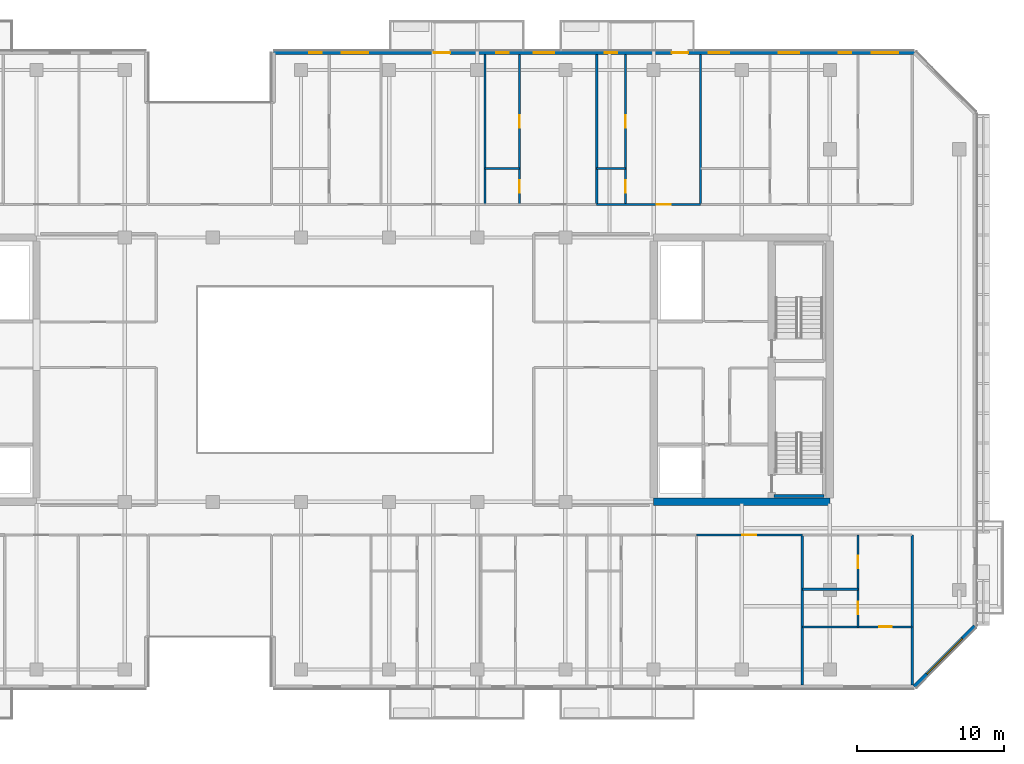
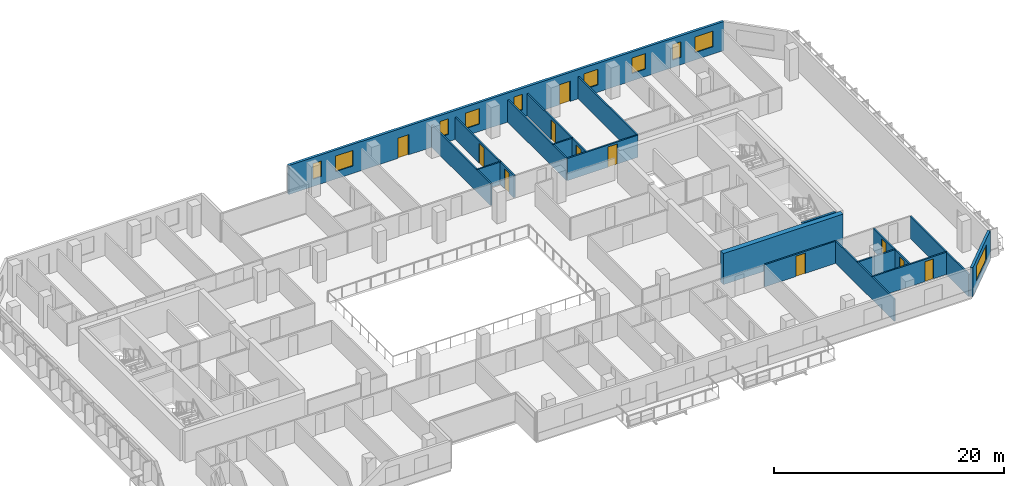
# One storey, part 13 of 19: 18 walls, 11 doors, 10 windows, 21 openings.
"""IFC4 building model written with IfcOpenShell, lengths in metres."""

import ifcopenshell
import ifcopenshell.guid

model = None  # the IFC model being written
_history = None  # IfcOwnerHistory: only IFC2X3 demands one
_inside = {}  # id of a spatial element -> (the spatial element, [elements in it])
_under = {}  # id of a project, library or spatial element -> (it, [spatial elements below it])
_declared = {}  # id of a project -> (the project, [libraries it declares])
_typed = {}  # id of a type object -> (the type object, [elements of that type])
_made_of = {}  # id of a material, layer set ... -> (it, [elements and type objects made of it])


def new_model(schema):
    """Start an empty IFC model of exactly this schema.

    Asked for "IFC4X3", IfcOpenShell would pick the latest addendum, in which some entities
    have other attributes; the version numbers below select the first issue.
    IFC2X3 requires an IfcOwnerHistory on every rooted entity: one is made here for all.
    """
    global model, _history
    if schema == "IFC4X3":
        model = ifcopenshell.file(schema_version=(4, 3, 0, 0))
    else:
        model = ifcopenshell.file(schema=schema)
    _inside.clear()
    _under.clear()
    _declared.clear()
    _typed.clear()
    _made_of.clear()
    _history = None
    if model.schema == "IFC2X3":
        org = make("IfcOrganization", Name="unknown")
        user = make(
            "IfcPersonAndOrganization",
            ThePerson=make("IfcPerson", FamilyName="unknown"),
            TheOrganization=org,
        )
        app = make(
            "IfcApplication",
            ApplicationDeveloper=org,
            Version="unknown",
            ApplicationFullName="unknown",
            ApplicationIdentifier="unknown",
        )
        _history = make(
            "IfcOwnerHistory",
            OwningUser=user,
            OwningApplication=app,
            ChangeAction="ADDED",
            CreationDate=0,
        )
    return model


def make(cls, **values):
    """One entity of the class cls with the attributes given. An attribute that is None is left unset."""
    return model.create_entity(
        cls, **{name: value for name, value in values.items() if value is not None}
    )


def rooted(cls, **values):
    """An entity with a GlobalId (a new one), such as an element, a storey or a relation."""
    return make(cls, GlobalId=ifcopenshell.guid.new(), OwnerHistory=_history, **values)


def si_unit(unit_type, name, prefix=None):
    """IfcSIUnit, for example si_unit("LENGTHUNIT", "METRE", prefix="MILLI")."""
    return make("IfcSIUnit", UnitType=unit_type, Prefix=prefix, Name=name)


def assignment(units):
    """IfcUnitAssignment: the units of a project."""
    return None if units is None else make("IfcUnitAssignment", Units=units)


def point(xyz):
    """IfcCartesianPoint."""
    return None if xyz is None else make("IfcCartesianPoint", Coordinates=xyz)


def direction(xyz):
    """IfcDirection."""
    return None if xyz is None else make("IfcDirection", DirectionRatios=xyz)


def frame(location, z_axis=None, x_axis=None):
    """IfcAxis2Placement3D, a coordinate frame: its origin and axes. An axis left out is left unset."""
    return make(
        "IfcAxis2Placement3D",
        Location=point(location),
        Axis=direction(z_axis),
        RefDirection=direction(x_axis),
    )


def frame_2d(location, x_axis=None):
    """IfcAxis2Placement2D, a coordinate frame in the plane: its origin and x axis."""
    return make(
        "IfcAxis2Placement2D", Location=point(location), RefDirection=direction(x_axis)
    )


def origin():
    """The frame at (0, 0, 0) with its axes left unset."""
    return frame((0.0, 0.0, 0.0))


def place(relative_to, where):
    """IfcLocalPlacement: puts the frame where relative to a parent placement (None: the world)."""
    return make(
        "IfcLocalPlacement", PlacementRelTo=relative_to, RelativePlacement=where
    )


def context(
    kind, dimensions, precision=None, world=None, true_north=None, identifier=None
):
    """IfcGeometricRepresentationContext, for example the 3D "Model" context."""
    return make(
        "IfcGeometricRepresentationContext",
        ContextIdentifier=identifier,
        ContextType=kind,
        CoordinateSpaceDimension=dimensions,
        Precision=precision,
        WorldCoordinateSystem=world,
        TrueNorth=true_north,
    )


def subcontext(parent, identifier, kind, view, scale=None):
    """IfcGeometricRepresentationSubContext, for example "Body" below "Model"."""
    return make(
        "IfcGeometricRepresentationSubContext",
        ContextIdentifier=identifier,
        ContextType=kind,
        ParentContext=parent,
        TargetScale=scale,
        TargetView=view,
    )


def project(units=None, contexts=None):
    """IfcProject with its units and contexts."""
    return rooted(
        "IfcProject",
        Name="project",
        RepresentationContexts=contexts,
        UnitsInContext=assignment(units),
    )


def spatial(cls, under=None, at=None, **own):
    """A site, building, storey or space (cls), placed at a placement, below another one or the project."""
    s = rooted(cls, ObjectPlacement=at, **own)
    if under is not None:
        _under.setdefault(under.id(), (under, []))[1].append(s)
    return s


def profile(cls, at=None, kind="AREA", **sizes):
    """A parametric profile (cls). Its sizes go by their IFC names, for example OverallWidth=200.0."""
    return make(cls, ProfileType=kind, Position=at, **sizes)


def rectangle(**sizes):
    """IfcRectangleProfileDef."""
    return profile("IfcRectangleProfileDef", **sizes)


def extrude(swept, where, along, depth):
    """IfcExtrudedAreaSolid: the profile swept, set in the frame where, extruded along a direction by depth."""
    return make(
        "IfcExtrudedAreaSolid",
        SweptArea=swept,
        Position=where,
        ExtrudedDirection=direction(along),
        Depth=depth,
    )


def shape(context_of_items, identifier, shape_type, items):
    """IfcShapeRepresentation: the items that make up one representation, for example the "Body"."""
    return make(
        "IfcShapeRepresentation",
        ContextOfItems=context_of_items,
        RepresentationIdentifier=identifier,
        RepresentationType=shape_type,
        Items=items,
    )


def material(Name=None, Category=None):
    """IfcMaterial."""
    return make("IfcMaterial", Name=Name, Category=Category)


def layer(
    of_material, thickness, ventilated=None, Name=None, Category=None, Priority=None
):
    """IfcMaterialLayer: one layer of a wall or slab, of a material (None: an air gap)."""
    return make(
        "IfcMaterialLayer",
        Material=of_material,
        LayerThickness=thickness,
        IsVentilated=ventilated,
        Name=Name,
        Category=Category,
        Priority=Priority,
    )


def layer_set(layers, Name=None):
    """IfcMaterialLayerSet."""
    return make("IfcMaterialLayerSet", MaterialLayers=layers, LayerSetName=Name)


def made_of(thing, what):
    """Note that an element or type object is made of a material, layer set ...; save() writes the relation."""
    if what is not None:
        _made_of.setdefault(what.id(), (what, []))[1].append(thing)
    return thing


def type_object(cls, material=None, **own):
    """A type object (cls), such as IfcWallType, which elements share."""
    return made_of(rooted(cls, **own), material)


def element(
    cls,
    number,
    at=None,
    inside=None,
    cuts=None,
    type_object=None,
    material=None,
    context=None,
    identifier="Body",
    shape_type=None,
    held_by="IfcProductDefinitionShape",
    body=None,
    shapes=None,
    **own,
):
    """One element of the class cls, such as IfcWall. Its Tag is "e" and its number.

    at: its placement. inside: the storey or other place that contains it. cuts: it is an
    opening in that element (IfcRelVoidsElement). A single representation is given by context,
    identifier, shape_type and body (its items); several are given by shapes. held_by: the class
    of the entity that holds the representations. save() writes the other relations.
    """
    e = rooted(cls, Tag="e%d" % number, ObjectPlacement=at, **own)
    if body is not None:
        shapes = [shape(context, identifier, shape_type, body)]
    if shapes is not None:
        e.Representation = make(held_by, Representations=shapes)
    if inside is not None:
        _inside.setdefault(inside.id(), (inside, []))[1].append(e)
    if cuts is not None:
        rooted(
            "IfcRelVoidsElement", RelatingBuildingElement=cuts, RelatedOpeningElement=e
        )
    if type_object is not None:
        _typed.setdefault(type_object.id(), (type_object, []))[1].append(e)
    return made_of(e, material)


def fill(opening, filler):
    """IfcRelFillsElement: the door or window that sits in an opening."""
    return rooted(
        "IfcRelFillsElement",
        RelatingOpeningElement=opening,
        RelatedBuildingElement=filler,
    )


def aggregate(whole, parts):
    """IfcRelAggregates: a whole, such as a stair, and the parts it consists of."""
    return rooted("IfcRelAggregates", RelatingObject=whole, RelatedObjects=parts)


def save(model, path):
    """Write the relations noted so far, then the file.

    IfcRelAggregates (storeys below a building ...), IfcRelContainedInSpatialStructure (elements
    in a storey), IfcRelDefinesByType, IfcRelAssociatesMaterial and IfcRelDeclares: one each for
    every whole, place, type object, material and project.
    """
    for whole, parts in _under.values():
        aggregate(whole, parts)
    for where, things in _inside.values():
        rooted(
            "IfcRelContainedInSpatialStructure",
            RelatedElements=things,
            RelatingStructure=where,
        )
    for kind, things in _typed.values():
        rooted("IfcRelDefinesByType", RelatedObjects=things, RelatingType=kind)
    for what, things in _made_of.values():
        rooted("IfcRelAssociatesMaterial", RelatedObjects=things, RelatingMaterial=what)
    for by, libraries in _declared.values():
        rooted("IfcRelDeclares", RelatingContext=by, RelatedDefinitions=libraries)
    model.write(path)


model = new_model("IFC4")

# Units and contexts
model_context = context("Model", 3, precision=1e-05, world=origin(), true_north=direction((0.0, 1.0)))
body_context = subcontext(model_context, "Body", "Model", "MODEL_VIEW")
ifc_project = project(units=[si_unit("LENGTHUNIT", "METRE"), si_unit("AREAUNIT", "SQUARE_METRE"), si_unit("VOLUMEUNIT", "CUBIC_METRE"), si_unit("PLANEANGLEUNIT", "RADIAN"), si_unit("MASSUNIT", "GRAM", prefix="KILO")], contexts=[model_context])

# Site, building, storey
site_placement = place(None, origin())
site = spatial("IfcSite", under=ifc_project, at=site_placement, CompositionType="ELEMENT")
building_placement = place(site_placement, origin())
building = spatial("IfcBuilding", under=site, at=building_placement, Name="Tanjung Sevakor Pilgrim Tower", CompositionType="ELEMENT")
storey_placement = place(building_placement, frame((0.0, 0.0, 135.300048828125)))
storey = spatial("IfcBuildingStorey", under=building, at=storey_placement, Name="L37", CompositionType="ELEMENT", Elevation=135.300048828125)

# Walls
ifc_material_1 = material(Name="Concrete C60/75", Category="concrete")
ifc_layer_1 = layer(ifc_material_1, 0.5)
ifc_layer_set_1 = layer_set([ifc_layer_1], Name="WALL-CW-500")
wall_type_1 = type_object("IfcWallType", Name="WALL-CW-500", PredefinedType="SHEAR", material=ifc_layer_set_1)
wall_1_placement = place(storey_placement, frame((78.0, 24.60009765625, 0.0), z_axis=(0.0, 0.0, 1.0), x_axis=(1.0, 0.0, 0.0)))
element("IfcWall", 1, at=wall_1_placement, inside=storey, type_object=wall_type_1, Name="L37 E Core South Shear Wall", PredefinedType="SHEAR", context=body_context, shape_type="SweptSolid", body=[
    extrude(rectangle(XDim=12.0, YDim=0.5, at=frame_2d((6.0, 0.0))), origin(), (0.0, 0.0, 1.0), 3.300048828125),
])
ifc_material_2 = material(Name="Concrete C40/50", Category="concrete")
ifc_layer_2 = layer(ifc_material_2, 0.14990234375)
ifc_layer_set_2 = layer_set([ifc_layer_2], Name="WT-COMP-150")
wall_type_2 = type_object("IfcWallType", Name="WT-COMP-150", PredefinedType="SOLIDWALL", material=ifc_layer_set_2)
for number, where, z_axis, x_axis, name in (
    (2, (95.60009765625, 12.14990234375, 0.0), (0.0, 0.0, 1.0), (0.0, 1.0, 0.0), "L37 Partition IW-L37-047"),
    (3, (88.12255859375, 12.14990234375, 0.0), (0.0, 0.0, 1.0), (0.0, 1.0, 0.0), "L37 Partition IW-L37-062"),
):
    element("IfcWall", number, at=place(storey_placement, frame(where, z_axis=z_axis, x_axis=x_axis)), inside=storey, type_object=wall_type_2, Name=name, PredefinedType="SOLIDWALL", context=body_context, shape_type="SweptSolid", body=[
        extrude(rectangle(XDim=10.2001953125, YDim=0.14990234375, at=frame_2d((5.10009765625, 0.0))), origin(), (0.0, 0.0, 1.0), 2.35009765625),
    ])

# Wall, opening, door
wall_2_placement = place(storey_placement, frame((80.922119140625, 22.35009765625, 0.0), z_axis=(0.0, 0.0, 1.0), x_axis=(1.0, 0.0, 0.0)))
wall_2 = element("IfcWall", 4, at=wall_2_placement, inside=storey, type_object=wall_type_2, Name="L37 Partition IW-L37-063", PredefinedType="SOLIDWALL", context=body_context, shape_type="SweptSolid", body=[
    extrude(rectangle(XDim=7.200439453125, YDim=0.14990234375, at=frame_2d((3.60009765625, 0.0))), origin(), (0.0, 0.0, 1.0), 2.35009765625),
])
opening_1_placement = place(wall_2_placement, frame((3.125244140625, 0.0, 0.0)))
opening_1 = element("IfcOpeningElement", 5, at=opening_1_placement, cuts=wall_2, Name="Opening ID-FD2", PredefinedType="OPENING", context=body_context, shape_type="SweptSolid", body=[
    extrude(rectangle(XDim=0.949951171875, YDim=2.14990234375, at=frame_2d((0.47509765625, 1.074951171875))), frame((0.0, 0.0849609375, 0.0), z_axis=(0.0, -1.0, 0.0), x_axis=(1.0, 0.0, 0.0)), (0.0, 0.0, 1.0), 0.169921875),
])
ifc_material_3 = material(Name="Fire-Rated Timber", Category="wood")
door_type_1 = type_object("IfcDoorType", Name="DT-FIRE-950", OperationType="NOTDEFINED", PredefinedType="DOOR", material=ifc_material_3)
door_1_placement = place(opening_1_placement, origin())
door_1 = element("IfcDoor", 6, at=door_1_placement, inside=storey, type_object=door_type_1, Name="Study Room Entrance", OperationType="SINGLE_SWING_RIGHT", OverallHeight=2.14990234375, OverallWidth=0.949951171875, PredefinedType="DOOR", context=body_context, shape_type="SweptSolid", body=[
    extrude(rectangle(XDim=0.949951171875, YDim=2.14990234375, at=frame_2d((0.47509765625, 1.074951171875))), frame((0.0, 0.02490234375, 0.0), z_axis=(0.0, -1.0, 0.0), x_axis=(1.0, 0.0, 0.0)), (0.0, 0.0, 1.0), 0.050048828125),
])
fill(opening_1, door_1)

# Walls
for number, where, z_axis, x_axis, name in (
    (7, (66.522705078125, 44.85009765625, 0.0), (0.0, 0.0, 1.0), (0.0, 1.0, 0.0), "L37 Partition IW-L37-083"),
    (8, (74.131591796875, 44.85009765625, 0.0), (0.0, 0.0, 1.0), (0.0, 1.0, 0.0), "L37 Partition IW-L37-085"),
    (9, (81.197265625, 44.85009765625, 0.0), (0.0, 0.0, 1.0), (0.0, 1.0, 0.0), "L37 Partition IW-L37-089"),
):
    element("IfcWall", number, at=place(storey_placement, frame(where, z_axis=z_axis, x_axis=x_axis)), inside=storey, type_object=wall_type_2, Name=name, PredefinedType="SOLIDWALL", context=body_context, shape_type="SweptSolid", body=[
        extrude(rectangle(XDim=10.199951171875, YDim=0.14990234375, at=frame_2d((5.10009765625, 0.0))), origin(), (0.0, 0.0, 1.0), 2.35009765625),
    ])

# Wall, opening, door
wall_3_placement = place(storey_placement, frame((74.131591796875, 44.85009765625, 0.0), z_axis=(0.0, 0.0, 1.0), x_axis=(1.0, 0.0, 0.0)))
wall_3 = element("IfcWall", 10, at=wall_3_placement, inside=storey, type_object=wall_type_2, Name="L37 Partition IW-L37-092", PredefinedType="SOLIDWALL", context=body_context, shape_type="SweptSolid", body=[
    extrude(rectangle(XDim=7.065673828125, YDim=0.14990234375, at=frame_2d((3.53271484375, 0.0))), origin(), (0.0, 0.0, 1.0), 2.35009765625),
])
opening_2_placement = place(wall_3_placement, frame((4.072021484375, 0.0, 0.0)))
opening_2 = element("IfcOpeningElement", 11, at=opening_2_placement, cuts=wall_3, Name="Opening ID-FD2", PredefinedType="OPENING", context=body_context, shape_type="SweptSolid", body=[
    extrude(rectangle(XDim=0.949951171875, YDim=2.14990234375, at=frame_2d((0.47509765625, 1.074951171875))), frame((0.0, 0.0849609375, 0.0), z_axis=(0.0, -1.0, 0.0), x_axis=(1.0, 0.0, 0.0)), (0.0, 0.0, 1.0), 0.169921875),
])
door_2_placement = place(opening_2_placement, origin())
door_2 = element("IfcDoor", 12, at=door_2_placement, inside=storey, type_object=door_type_1, Name="Hostel Quad Entrance", OperationType="SINGLE_SWING_RIGHT", OverallHeight=2.14990234375, OverallWidth=0.949951171875, PredefinedType="DOOR", context=body_context, shape_type="SweptSolid", body=[
    extrude(rectangle(XDim=0.949951171875, YDim=2.14990234375, at=frame_2d((0.47509765625, 1.074951171875))), frame((0.0, 0.02490234375, 0.0), z_axis=(0.0, -1.0, 0.0), x_axis=(1.0, 0.0, 0.0)), (0.0, 0.0, 1.0), 0.050048828125),
])
fill(opening_2, door_2)

# Wall, opening, window
ifc_material_4 = material(Name="Precast concrete C45/55", Category="concrete")
ifc_layer_3 = layer(ifc_material_4, 0.25)
ifc_layer_set_3 = layer_set([ifc_layer_3], Name="WT-EW-STN3")
wall_type_3 = type_object("IfcWallType", Name="WT-EW-STN3", PredefinedType="SOLIDWALL", material=ifc_layer_set_3)
wall_4_placement = place(storey_placement, frame((95.748291015625, 12.02490234375, 0.0), z_axis=(0.0, 0.0, 1.0), x_axis=(0.70708586489, 0.707127696864, 0.0)))
wall_4 = element("IfcWall", 13, at=wall_4_placement, inside=storey, type_object=wall_type_3, Name="L37 MAIN Sculpted Corner Wall 5", PredefinedType="SOLIDWALL", context=body_context, shape_type="SweptSolid", body=[
    extrude(rectangle(XDim=5.836181640625, YDim=0.25, at=frame_2d((2.91796875, 0.0))), origin(), (0.0, 0.0, 1.0), 3.080078125),
])
opening_3_placement = place(wall_4_placement, frame((1.218017578125, 0.0, 0.780029296875)))
opening_3 = element("IfcOpeningElement", 14, at=opening_3_placement, cuts=wall_4, Name="Opening WN-CHM-1660", PredefinedType="OPENING", context=body_context, shape_type="SweptSolid", body=[
    extrude(rectangle(XDim=3.39990234375, YDim=1.659912109375, at=frame_2d((1.699951171875, 0.830078125))), frame((0.0, 0.135009765625, 0.0), z_axis=(0.0, -1.0, 0.0), x_axis=(1.0, 0.0, 0.0)), (0.0, 0.0, 1.0), 0.27001953125),
])
ifc_material_5 = material(Name="Thermally Broken Aluminium and Low-E Glass", Category="aluminium")
window_type_1 = type_object("IfcWindowType", Name="WTYP-WN-CHM-1660", PartitioningType="DOUBLE_PANEL_VERTICAL", PredefinedType="WINDOW", material=ifc_material_5)
window_1_placement = place(opening_3_placement, origin())
window_1 = element("IfcWindow", 15, at=window_1_placement, inside=storey, type_object=window_type_1, Name="L37 Facade Window 01", OverallHeight=1.659912109375, OverallWidth=3.39990234375, PartitioningType="SINGLE_PANEL", PredefinedType="WINDOW", context=body_context, shape_type="SweptSolid", body=[
    extrude(rectangle(XDim=3.39990234375, YDim=1.659912109375, at=frame_2d((1.699951171875, 0.830078125))), frame((0.0, 0.030029296875, 0.0), z_axis=(0.0, -1.0, 0.0), x_axis=(1.0, 0.0, 0.0)), (0.0, 0.0, 1.0), 0.06005859375),
])
fill(opening_3, window_1)

# Wall, openings, doors, windows
wall_5_placement = place(storey_placement, frame((95.748291015625, 55.175048828125, 0.0), z_axis=(0.0, 0.0, 1.0), x_axis=(-1.0, 0.0, 0.0)))
wall_5 = element("IfcWall", 16, at=wall_5_placement, inside=storey, type_object=wall_type_3, Name="L37 MAIN Exterior Wall 9", PredefinedType="SOLIDWALL", context=body_context, shape_type="SweptSolid", body=[
    extrude(rectangle(XDim=43.623291015625, YDim=0.25, at=frame_2d((21.8115234375, 0.0))), origin(), (0.0, 0.0, 1.0), 3.080078125),
])
opening_4_placement = place(wall_5_placement, frame((31.59814453125, 0.0, 0.0)))
opening_4 = element("IfcOpeningElement", 17, at=opening_4_placement, cuts=wall_5, Name="Opening ED-BAL-1100", PredefinedType="OPENING", context=body_context, shape_type="SweptSolid", body=[
    extrude(rectangle(XDim=1.10009765625, YDim=2.14990234375, at=frame_2d((0.550048828125, 1.074951171875))), frame((0.0, 0.135009765625, 0.0), z_axis=(0.0, -1.0, 0.0), x_axis=(1.0, 0.0, 0.0)), (0.0, 0.0, 1.0), 0.27001953125),
])
opening_5_placement = place(wall_5_placement, frame((15.398193359375, 0.0, 0.0)))
opening_5 = element("IfcOpeningElement", 18, at=opening_5_placement, cuts=wall_5, Name="Opening ED-BAL-1100", PredefinedType="OPENING", context=body_context, shape_type="SweptSolid", body=[
    extrude(rectangle(XDim=1.10009765625, YDim=2.14990234375, at=frame_2d((0.550048828125, 1.074951171875))), frame((0.0, 0.135009765625, 0.0), z_axis=(0.0, -1.0, 0.0), x_axis=(1.0, 0.0, 0.0)), (0.0, 0.0, 1.0), 0.27001953125),
])
opening_6_placement = place(wall_5_placement, frame((40.333251953125, 0.0, 0.780029296875)))
opening_6 = element("IfcOpeningElement", 19, at=opening_6_placement, cuts=wall_5, Name="Opening WN-SLM", PredefinedType="OPENING", context=body_context, shape_type="SweptSolid", body=[
    extrude(rectangle(XDim=0.85009765625, YDim=1.64990234375, at=frame_2d((0.425048828125, 0.824951171875))), frame((0.0, 0.135009765625, 0.0), z_axis=(0.0, -1.0, 0.0), x_axis=(1.0, 0.0, 0.0)), (0.0, 0.0, 1.0), 0.27001953125),
])
opening_7_placement = place(wall_5_placement, frame((37.169677734375, 0.0, 0.780029296875)))
opening_7 = element("IfcOpeningElement", 20, at=opening_7_placement, cuts=wall_5, Name="Opening WN-Z3-1660", PredefinedType="OPENING", context=body_context, shape_type="SweptSolid", body=[
    extrude(rectangle(XDim=1.800048828125, YDim=1.659912109375, at=frame_2d((0.89990234375, 0.830078125))), frame((0.0, 0.135009765625, 0.0), z_axis=(0.0, -1.0, 0.0), x_axis=(1.0, 0.0, 0.0)), (0.0, 0.0, 1.0), 0.27001953125),
])
opening_8_placement = place(wall_5_placement, frame((27.615478515625, 0.0, 0.780029296875)))
opening_8 = element("IfcOpeningElement", 21, at=opening_8_placement, cuts=wall_5, Name="Opening WN-SLM", PredefinedType="OPENING", context=body_context, shape_type="SweptSolid", body=[
    extrude(rectangle(XDim=0.85009765625, YDim=1.64990234375, at=frame_2d((0.425048828125, 0.824951171875))), frame((0.0, 0.135009765625, 0.0), z_axis=(0.0, -1.0, 0.0), x_axis=(1.0, 0.0, 0.0)), (0.0, 0.0, 1.0), 0.27001953125),
])
opening_9_placement = place(wall_5_placement, frame((24.51611328125, 0.0, 0.780029296875)))
opening_9 = element("IfcOpeningElement", 22, at=opening_9_placement, cuts=wall_5, Name="Opening WN-END", PredefinedType="OPENING", context=body_context, shape_type="SweptSolid", body=[
    extrude(rectangle(XDim=1.39990234375, YDim=1.64990234375, at=frame_2d((0.699951171875, 0.824951171875))), frame((0.0, 0.135009765625, 0.0), z_axis=(0.0, -1.0, 0.0), x_axis=(1.0, 0.0, 0.0)), (0.0, 0.0, 1.0), 0.27001953125),
])
opening_10_placement = place(wall_5_placement, frame((20.20751953125, 0.0, 0.780029296875)))
opening_10 = element("IfcOpeningElement", 23, at=opening_10_placement, cuts=wall_5, Name="Opening WN-SLM", PredefinedType="OPENING", context=body_context, shape_type="SweptSolid", body=[
    extrude(rectangle(XDim=0.85009765625, YDim=1.64990234375, at=frame_2d((0.425048828125, 0.824951171875))), frame((0.0, 0.135009765625, 0.0), z_axis=(0.0, -1.0, 0.0), x_axis=(1.0, 0.0, 0.0)), (0.0, 0.0, 1.0), 0.27001953125),
])
opening_11_placement = place(wall_5_placement, frame((12.599609375, 0.0, 0.780029296875)))
opening_11 = element("IfcOpeningElement", 24, at=opening_11_placement, cuts=wall_5, Name="Opening WN-END", PredefinedType="OPENING", context=body_context, shape_type="SweptSolid", body=[
    extrude(rectangle(XDim=1.39990234375, YDim=1.64990234375, at=frame_2d((0.699951171875, 0.824951171875))), frame((0.0, 0.135009765625, 0.0), z_axis=(0.0, -1.0, 0.0), x_axis=(1.0, 0.0, 0.0)), (0.0, 0.0, 1.0), 0.27001953125),
])
opening_12_placement = place(wall_5_placement, frame((7.8310546875, 0.0, 0.780029296875)))
opening_12 = element("IfcOpeningElement", 25, at=opening_12_placement, cuts=wall_5, Name="Opening WN-END", PredefinedType="OPENING", context=body_context, shape_type="SweptSolid", body=[
    extrude(rectangle(XDim=1.39990234375, YDim=1.64990234375, at=frame_2d((0.699951171875, 0.824951171875))), frame((0.0, 0.135009765625, 0.0), z_axis=(0.0, -1.0, 0.0), x_axis=(1.0, 0.0, 0.0)), (0.0, 0.0, 1.0), 0.27001953125),
])
opening_13_placement = place(wall_5_placement, frame((4.285888671875, 0.0, 0.780029296875)))
opening_13 = element("IfcOpeningElement", 26, at=opening_13_placement, cuts=wall_5, Name="Opening WN-SLM", PredefinedType="OPENING", context=body_context, shape_type="SweptSolid", body=[
    extrude(rectangle(XDim=0.85009765625, YDim=1.64990234375, at=frame_2d((0.425048828125, 0.824951171875))), frame((0.0, 0.135009765625, 0.0), z_axis=(0.0, -1.0, 0.0), x_axis=(1.0, 0.0, 0.0)), (0.0, 0.0, 1.0), 0.27001953125),
])
opening_14_placement = place(wall_5_placement, frame((1.09814453125, 0.0, 0.780029296875)))
opening_14 = element("IfcOpeningElement", 27, at=opening_14_placement, cuts=wall_5, Name="Opening WN-Z3-1660", PredefinedType="OPENING", context=body_context, shape_type="SweptSolid", body=[
    extrude(rectangle(XDim=1.800048828125, YDim=1.659912109375, at=frame_2d((0.89990234375, 0.830078125))), frame((0.0, 0.135009765625, 0.0), z_axis=(0.0, -1.0, 0.0), x_axis=(1.0, 0.0, 0.0)), (0.0, 0.0, 1.0), 0.27001953125),
])
ifc_material_6 = material(Name="Anodised Aluminium and Laminated Glass", Category="aluminium")
door_type_2 = type_object("IfcDoorType", Name="DTYP-ED-BAL-1100", OperationType="NOTDEFINED", PredefinedType="DOOR", material=ifc_material_6)
door_3_placement = place(opening_4_placement, frame((1.10009765625, 0.0, 0.0), z_axis=(0.0, 0.0, 1.0), x_axis=(-1.0, 0.0, 0.0)))
door_3 = element("IfcDoor", 28, at=door_3_placement, inside=storey, type_object=door_type_2, Name="L37 Balcony Door MAIN-N2", OperationType="SINGLE_SWING_RIGHT", OverallHeight=2.14990234375, OverallWidth=1.10009765625, PredefinedType="DOOR", context=body_context, shape_type="SweptSolid", body=[
    extrude(rectangle(XDim=1.10009765625, YDim=2.14990234375, at=frame_2d((0.550048828125, 1.074951171875))), frame((0.0, 0.02490234375, 0.0), z_axis=(0.0, -1.0, 0.0), x_axis=(1.0, 0.0, 0.0)), (0.0, 0.0, 1.0), 0.050048828125),
])
fill(opening_4, door_3)
door_4_placement = place(opening_5_placement, frame((1.10009765625, 0.0, 0.0), z_axis=(0.0, 0.0, 1.0), x_axis=(-1.0, 0.0, 0.0)))
door_4 = element("IfcDoor", 29, at=door_4_placement, inside=storey, type_object=door_type_2, Name="L37 Balcony Door MAIN-N3", OperationType="SINGLE_SWING_LEFT", OverallHeight=2.14990234375, OverallWidth=1.10009765625, PredefinedType="DOOR", context=body_context, shape_type="SweptSolid", body=[
    extrude(rectangle(XDim=1.10009765625, YDim=2.14990234375, at=frame_2d((0.550048828125, 1.074951171875))), frame((0.0, 0.02490234375, 0.0), z_axis=(0.0, -1.0, 0.0), x_axis=(1.0, 0.0, 0.0)), (0.0, 0.0, 1.0), 0.050048828125),
])
fill(opening_5, door_4)
ifc_material_7 = material(Name="Thermally Broken Aluminium and Low-E Glass", Category="aluminium")
window_type_2 = type_object("IfcWindowType", Name="WTYP-WN-END", PartitioningType="SINGLE_PANEL", PredefinedType="WINDOW", material=ifc_material_7)
window_2_placement = place(opening_9_placement, origin())
window_2 = element("IfcWindow", 30, at=window_2_placement, inside=storey, type_object=window_type_2, Name="L37 Facade Window 04", OverallHeight=1.64990234375, OverallWidth=1.39990234375, PartitioningType="SINGLE_PANEL", PredefinedType="WINDOW", context=body_context, shape_type="SweptSolid", body=[
    extrude(rectangle(XDim=1.39990234375, YDim=1.64990234375, at=frame_2d((0.699951171875, 0.824951171875))), frame((0.0, 0.030029296875, 0.0), z_axis=(0.0, -1.0, 0.0), x_axis=(1.0, 0.0, 0.0)), (0.0, 0.0, 1.0), 0.06005859375),
])
fill(opening_9, window_2)
window_3_placement = place(opening_11_placement, origin())
window_3 = element("IfcWindow", 31, at=window_3_placement, inside=storey, type_object=window_type_2, Name="L37 Facade Window 06", OverallHeight=1.64990234375, OverallWidth=1.39990234375, PartitioningType="SINGLE_PANEL", PredefinedType="WINDOW", context=body_context, shape_type="SweptSolid", body=[
    extrude(rectangle(XDim=1.39990234375, YDim=1.64990234375, at=frame_2d((0.699951171875, 0.824951171875))), frame((0.0, 0.030029296875, 0.0), z_axis=(0.0, -1.0, 0.0), x_axis=(1.0, 0.0, 0.0)), (0.0, 0.0, 1.0), 0.06005859375),
])
fill(opening_11, window_3)
window_4_placement = place(opening_12_placement, origin())
window_4 = element("IfcWindow", 32, at=window_4_placement, inside=storey, type_object=window_type_2, Name="L37 Facade Window 07", OverallHeight=1.64990234375, OverallWidth=1.39990234375, PartitioningType="SINGLE_PANEL", PredefinedType="WINDOW", context=body_context, shape_type="SweptSolid", body=[
    extrude(rectangle(XDim=1.39990234375, YDim=1.64990234375, at=frame_2d((0.699951171875, 0.824951171875))), frame((0.0, 0.030029296875, 0.0), z_axis=(0.0, -1.0, 0.0), x_axis=(1.0, 0.0, 0.0)), (0.0, 0.0, 1.0), 0.06005859375),
])
fill(opening_12, window_4)
ifc_material_8 = material(Name="Thermally Broken Aluminium and Low-E Glass", Category="aluminium")
window_type_3 = type_object("IfcWindowType", Name="WTYP-WN-SLM", PartitioningType="SINGLE_PANEL", PredefinedType="WINDOW", material=ifc_material_8)
window_5_placement = place(opening_6_placement, origin())
window_5 = element("IfcWindow", 33, at=window_5_placement, inside=storey, type_object=window_type_3, Name="L37 Facade Window 01", OverallHeight=1.64990234375, OverallWidth=0.85009765625, PartitioningType="SINGLE_PANEL", PredefinedType="WINDOW", context=body_context, shape_type="SweptSolid", body=[
    extrude(rectangle(XDim=0.85009765625, YDim=1.64990234375, at=frame_2d((0.425048828125, 0.824951171875))), frame((0.0, 0.030029296875, 0.0), z_axis=(0.0, -1.0, 0.0), x_axis=(1.0, 0.0, 0.0)), (0.0, 0.0, 1.0), 0.06005859375),
])
fill(opening_6, window_5)
window_6_placement = place(opening_8_placement, origin())
window_6 = element("IfcWindow", 34, at=window_6_placement, inside=storey, type_object=window_type_3, Name="L37 Facade Window 03", OverallHeight=1.64990234375, OverallWidth=0.85009765625, PartitioningType="SINGLE_PANEL", PredefinedType="WINDOW", context=body_context, shape_type="SweptSolid", body=[
    extrude(rectangle(XDim=0.85009765625, YDim=1.64990234375, at=frame_2d((0.425048828125, 0.824951171875))), frame((0.0, 0.030029296875, 0.0), z_axis=(0.0, -1.0, 0.0), x_axis=(1.0, 0.0, 0.0)), (0.0, 0.0, 1.0), 0.06005859375),
])
fill(opening_8, window_6)
window_7_placement = place(opening_10_placement, origin())
window_7 = element("IfcWindow", 35, at=window_7_placement, inside=storey, type_object=window_type_3, Name="L37 Facade Window 05", OverallHeight=1.64990234375, OverallWidth=0.85009765625, PartitioningType="SINGLE_PANEL", PredefinedType="WINDOW", context=body_context, shape_type="SweptSolid", body=[
    extrude(rectangle(XDim=0.85009765625, YDim=1.64990234375, at=frame_2d((0.425048828125, 0.824951171875))), frame((0.0, 0.030029296875, 0.0), z_axis=(0.0, -1.0, 0.0), x_axis=(1.0, 0.0, 0.0)), (0.0, 0.0, 1.0), 0.06005859375),
])
fill(opening_10, window_7)
window_8_placement = place(opening_13_placement, origin())
window_8 = element("IfcWindow", 36, at=window_8_placement, inside=storey, type_object=window_type_3, Name="L37 Facade Window 08", OverallHeight=1.64990234375, OverallWidth=0.85009765625, PartitioningType="SINGLE_PANEL", PredefinedType="WINDOW", context=body_context, shape_type="SweptSolid", body=[
    extrude(rectangle(XDim=0.85009765625, YDim=1.64990234375, at=frame_2d((0.425048828125, 0.824951171875))), frame((0.0, 0.030029296875, 0.0), z_axis=(0.0, -1.0, 0.0), x_axis=(1.0, 0.0, 0.0)), (0.0, 0.0, 1.0), 0.06005859375),
])
fill(opening_13, window_8)
ifc_material_9 = material(Name="Thermally Broken Aluminium and Low-E Glass", Category="aluminium")
window_type_4 = type_object("IfcWindowType", Name="WTYP-WN-Z3-1660", PartitioningType="DOUBLE_PANEL_VERTICAL", PredefinedType="WINDOW", material=ifc_material_9)
window_9_placement = place(opening_7_placement, origin())
window_9 = element("IfcWindow", 37, at=window_9_placement, inside=storey, type_object=window_type_4, Name="L37 Facade Window 02", OverallHeight=1.659912109375, OverallWidth=1.800048828125, PartitioningType="SINGLE_PANEL", PredefinedType="WINDOW", context=body_context, shape_type="SweptSolid", body=[
    extrude(rectangle(XDim=1.800048828125, YDim=1.659912109375, at=frame_2d((0.89990234375, 0.830078125))), frame((0.0, 0.030029296875, 0.0), z_axis=(0.0, -1.0, 0.0), x_axis=(1.0, 0.0, 0.0)), (0.0, 0.0, 1.0), 0.06005859375),
])
fill(opening_7, window_9)
window_10_placement = place(opening_14_placement, origin())
window_10 = element("IfcWindow", 38, at=window_10_placement, inside=storey, type_object=window_type_4, Name="L37 Facade Window 09", OverallHeight=1.659912109375, OverallWidth=1.800048828125, PartitioningType="SINGLE_PANEL", PredefinedType="WINDOW", context=body_context, shape_type="SweptSolid", body=[
    extrude(rectangle(XDim=1.800048828125, YDim=1.659912109375, at=frame_2d((0.89990234375, 0.830078125))), frame((0.0, 0.030029296875, 0.0), z_axis=(0.0, -1.0, 0.0), x_axis=(1.0, 0.0, 0.0)), (0.0, 0.0, 1.0), 0.06005859375),
])
fill(opening_14, window_10)

# Walls
ifc_material_10 = material(Name="Concrete C40/50", Category="concrete")
ifc_layer_4 = layer(ifc_material_10, 0.199951171875)
ifc_layer_set_4 = layer_set([ifc_layer_4], Name="WT-FIRE-200")
wall_type_4 = type_object("IfcWallType", Name="WT-FIRE-200", PredefinedType="SOLIDWALL", material=ifc_layer_set_4)
wall_6_placement = place(storey_placement, frame((86.199951171875, 25.0, 0.0), z_axis=(0.0, 0.0, 1.0), x_axis=(1.0, 0.0, 0.0)))
element("IfcWall", 39, at=wall_6_placement, inside=storey, type_object=wall_type_4, Name="L37 TS-E1 Shaft Wall 1", PredefinedType="SOLIDWALL", context=body_context, shape_type="SweptSolid", body=[
    extrude(rectangle(XDim=3.400146484375, YDim=0.199951171875, at=frame_2d((1.7001953125, 0.0))), origin(), (0.0, 0.0, 1.0), 3.300048828125),
])
ifc_material_11 = material(Name="Gypsum Board Partition", Category="gypsum board")
ifc_layer_5 = layer(ifc_material_11, 0.14990234375)
ifc_layer_set_5 = layer_set([ifc_layer_5], Name="WT-PART-150")
wall_type_5 = type_object("IfcWallType", Name="WT-PART-150", PredefinedType="PARTITIONING", material=ifc_layer_set_5)
wall_7_placement = place(storey_placement, frame((88.12255859375, 18.65966796875, 0.0), z_axis=(0.0, 0.0, 1.0), x_axis=(1.0, 0.0, 0.0)))
element("IfcWall", 40, at=wall_7_placement, inside=storey, type_object=wall_type_5, Name="L37 Partition IW-L37-064", PredefinedType="PARTITIONING", context=body_context, shape_type="SweptSolid", body=[
    extrude(rectangle(XDim=3.79736328125, YDim=0.14990234375, at=frame_2d((1.898681640625, 0.0))), origin(), (0.0, 0.0, 1.0), 2.35009765625),
])

# Wall, openings, doors
wall_8_placement = place(storey_placement, frame((91.919921875, 16.09521484375, 0.0), z_axis=(0.0, 0.0, 1.0), x_axis=(0.0, 1.0, 0.0)))
wall_8 = element("IfcWall", 41, at=wall_8_placement, inside=storey, type_object=wall_type_5, Name="L37 Partition IW-L37-065", PredefinedType="PARTITIONING", context=body_context, shape_type="SweptSolid", body=[
    extrude(rectangle(XDim=6.2548828125, YDim=0.14990234375, at=frame_2d((3.12744140625, 0.0))), origin(), (0.0, 0.0, 1.0), 2.35009765625),
])
opening_15_placement = place(wall_8_placement, frame((0.857421875, 0.0, 0.0)))
opening_15 = element("IfcOpeningElement", 42, at=opening_15_placement, cuts=wall_8, Name="Opening ID-WC1", PredefinedType="OPENING", context=body_context, shape_type="SweptSolid", body=[
    extrude(rectangle(XDim=0.85009765625, YDim=2.10009765625, at=frame_2d((0.425048828125, 1.050048828125))), frame((0.0, 0.0849609375, 0.0), z_axis=(0.0, -1.0, 0.0), x_axis=(1.0, 0.0, 0.0)), (0.0, 0.0, 1.0), 0.169921875),
])
opening_16_placement = place(wall_8_placement, frame((3.984619140625, 0.0, 0.0)))
opening_16 = element("IfcOpeningElement", 43, at=opening_16_placement, cuts=wall_8, Name="Opening ID-WC1", PredefinedType="OPENING", context=body_context, shape_type="SweptSolid", body=[
    extrude(rectangle(XDim=0.85009765625, YDim=2.10009765625, at=frame_2d((0.425048828125, 1.050048828125))), frame((0.0, 0.0849609375, 0.0), z_axis=(0.0, -1.0, 0.0), x_axis=(1.0, 0.0, 0.0)), (0.0, 0.0, 1.0), 0.169921875),
])
ifc_material_12 = material(Name="Moisture-Resistant Timber", Category="wood")
door_type_3 = type_object("IfcDoorType", Name="DT-INT-850", OperationType="NOTDEFINED", PredefinedType="DOOR", material=ifc_material_12)
door_5_placement = place(opening_15_placement, origin())
door_5 = element("IfcDoor", 44, at=door_5_placement, inside=storey, type_object=door_type_3, Name="Residence Bathroom Door", OperationType="SINGLE_SWING_LEFT", OverallHeight=2.10009765625, OverallWidth=0.85009765625, PredefinedType="DOOR", context=body_context, shape_type="SweptSolid", body=[
    extrude(rectangle(XDim=0.85009765625, YDim=2.10009765625, at=frame_2d((0.425048828125, 1.050048828125))), frame((0.0, 0.02490234375, 0.0), z_axis=(0.0, -1.0, 0.0), x_axis=(1.0, 0.0, 0.0)), (0.0, 0.0, 1.0), 0.050048828125),
])
fill(opening_15, door_5)
door_6_placement = place(opening_16_placement, origin())
door_6 = element("IfcDoor", 45, at=door_6_placement, inside=storey, type_object=door_type_3, Name="Residence Kitchenette Door", OperationType="SINGLE_SWING_RIGHT", OverallHeight=2.10009765625, OverallWidth=0.85009765625, PredefinedType="DOOR", context=body_context, shape_type="SweptSolid", body=[
    extrude(rectangle(XDim=0.85009765625, YDim=2.10009765625, at=frame_2d((0.425048828125, 1.050048828125))), frame((0.0, 0.02490234375, 0.0), z_axis=(0.0, -1.0, 0.0), x_axis=(1.0, 0.0, 0.0)), (0.0, 0.0, 1.0), 0.050048828125),
])
fill(opening_16, door_6)

# Wall, opening, door
wall_9_placement = place(storey_placement, frame((88.12255859375, 16.09521484375, 0.0), z_axis=(0.0, 0.0, 1.0), x_axis=(1.0, 0.0, 0.0)))
wall_9 = element("IfcWall", 46, at=wall_9_placement, inside=storey, type_object=wall_type_5, Name="L37 Partition IW-L37-066", PredefinedType="PARTITIONING", context=body_context, shape_type="SweptSolid", body=[
    extrude(rectangle(XDim=7.4775390625, YDim=0.14990234375, at=frame_2d((3.73876953125, 0.0))), origin(), (0.0, 0.0, 1.0), 2.35009765625),
])
opening_17_placement = place(wall_9_placement, frame((5.25244140625, 0.0, 0.0)))
opening_17 = element("IfcOpeningElement", 47, at=opening_17_placement, cuts=wall_9, Name="Opening ID-WC1", PredefinedType="OPENING", context=body_context, shape_type="SweptSolid", body=[
    extrude(rectangle(XDim=0.85009765625, YDim=2.10009765625, at=frame_2d((0.425048828125, 1.050048828125))), frame((0.0, 0.0849609375, 0.0), z_axis=(0.0, -1.0, 0.0), x_axis=(1.0, 0.0, 0.0)), (0.0, 0.0, 1.0), 0.169921875),
])
door_7_placement = place(opening_17_placement, origin())
door_7 = element("IfcDoor", 48, at=door_7_placement, inside=storey, type_object=door_type_3, Name="Residence Bedroom Door", OperationType="SINGLE_SWING_LEFT", OverallHeight=2.10009765625, OverallWidth=0.85009765625, PredefinedType="DOOR", context=body_context, shape_type="SweptSolid", body=[
    extrude(rectangle(XDim=0.85009765625, YDim=2.10009765625, at=frame_2d((0.425048828125, 1.050048828125))), frame((0.0, 0.02490234375, 0.0), z_axis=(0.0, -1.0, 0.0), x_axis=(1.0, 0.0, 0.0)), (0.0, 0.0, 1.0), 0.050048828125),
])
fill(opening_17, door_7)

# Wall
wall_10_placement = place(storey_placement, frame((66.522705078125, 47.300048828125, 0.0), z_axis=(0.0, 0.0, 1.0), x_axis=(1.0, 0.0, 0.0)))
element("IfcWall", 49, at=wall_10_placement, inside=storey, type_object=wall_type_5, Name="L37 Partition IW-L37-086", PredefinedType="PARTITIONING", context=body_context, shape_type="SweptSolid", body=[
    extrude(rectangle(XDim=2.35009765625, YDim=0.14990234375, at=frame_2d((1.175048828125, 0.0))), origin(), (0.0, 0.0, 1.0), 2.35009765625),
])

# Wall, openings, doors
wall_11_placement = place(storey_placement, frame((68.872802734375, 44.85009765625, 0.0), z_axis=(0.0, 0.0, 1.0), x_axis=(0.0, 1.0, 0.0)))
wall_11 = element("IfcWall", 50, at=wall_11_placement, inside=storey, type_object=wall_type_5, Name="L37 Partition IW-L37-087", PredefinedType="PARTITIONING", context=body_context, shape_type="SweptSolid", body=[
    extrude(rectangle(XDim=10.199951171875, YDim=0.14990234375, at=frame_2d((5.10009765625, 0.0))), origin(), (0.0, 0.0, 1.0), 2.35009765625),
])
opening_18_placement = place(wall_11_placement, frame((0.800048828125, 0.0, 0.0)))
opening_18 = element("IfcOpeningElement", 51, at=opening_18_placement, cuts=wall_11, Name="Opening ID-WC1", PredefinedType="OPENING", context=body_context, shape_type="SweptSolid", body=[
    extrude(rectangle(XDim=0.85009765625, YDim=2.10009765625, at=frame_2d((0.425048828125, 1.050048828125))), frame((0.0, 0.0849609375, 0.0), z_axis=(0.0, -1.0, 0.0), x_axis=(1.0, 0.0, 0.0)), (0.0, 0.0, 1.0), 0.169921875),
])
opening_19_placement = place(wall_11_placement, frame((5.2099609375, 0.0, 0.0)))
opening_19 = element("IfcOpeningElement", 52, at=opening_19_placement, cuts=wall_11, Name="Opening ID-WC1", PredefinedType="OPENING", context=body_context, shape_type="SweptSolid", body=[
    extrude(rectangle(XDim=0.85009765625, YDim=2.10009765625, at=frame_2d((0.425048828125, 1.050048828125))), frame((0.0, 0.0849609375, 0.0), z_axis=(0.0, -1.0, 0.0), x_axis=(1.0, 0.0, 0.0)), (0.0, 0.0, 1.0), 0.169921875),
])
door_8_placement = place(opening_18_placement, origin())
door_8 = element("IfcDoor", 53, at=door_8_placement, inside=storey, type_object=door_type_3, Name="Bathroom Door", OperationType="SINGLE_SWING_LEFT", OverallHeight=2.10009765625, OverallWidth=0.85009765625, PredefinedType="DOOR", context=body_context, shape_type="SweptSolid", body=[
    extrude(rectangle(XDim=0.85009765625, YDim=2.10009765625, at=frame_2d((0.425048828125, 1.050048828125))), frame((0.0, 0.02490234375, 0.0), z_axis=(0.0, -1.0, 0.0), x_axis=(1.0, 0.0, 0.0)), (0.0, 0.0, 1.0), 0.050048828125),
])
fill(opening_18, door_8)
door_9_placement = place(opening_19_placement, origin())
door_9 = element("IfcDoor", 54, at=door_9_placement, inside=storey, type_object=door_type_3, Name="Study Nook Door", OperationType="SINGLE_SWING_RIGHT", OverallHeight=2.10009765625, OverallWidth=0.85009765625, PredefinedType="DOOR", context=body_context, shape_type="SweptSolid", body=[
    extrude(rectangle(XDim=0.85009765625, YDim=2.10009765625, at=frame_2d((0.425048828125, 1.050048828125))), frame((0.0, 0.02490234375, 0.0), z_axis=(0.0, -1.0, 0.0), x_axis=(1.0, 0.0, 0.0)), (0.0, 0.0, 1.0), 0.050048828125),
])
fill(opening_19, door_9)

# Wall
wall_12_placement = place(storey_placement, frame((74.131591796875, 47.300048828125, 0.0), z_axis=(0.0, 0.0, 1.0), x_axis=(1.0, 0.0, 0.0)))
element("IfcWall", 55, at=wall_12_placement, inside=storey, type_object=wall_type_5, Name="L37 Partition IW-L37-090", PredefinedType="PARTITIONING", context=body_context, shape_type="SweptSolid", body=[
    extrude(rectangle(XDim=1.948486328125, YDim=0.14990234375, at=frame_2d((0.97412109375, 0.0))), origin(), (0.0, 0.0, 1.0), 2.35009765625),
])

# Wall, openings, doors
wall_13_placement = place(storey_placement, frame((76.080078125, 44.85009765625, 0.0), z_axis=(0.0, 0.0, 1.0), x_axis=(0.0, 1.0, 0.0)))
wall_13 = element("IfcWall", 56, at=wall_13_placement, inside=storey, type_object=wall_type_5, Name="L37 Partition IW-L37-091", PredefinedType="PARTITIONING", context=body_context, shape_type="SweptSolid", body=[
    extrude(rectangle(XDim=10.199951171875, YDim=0.14990234375, at=frame_2d((5.10009765625, 0.0))), origin(), (0.0, 0.0, 1.0), 2.35009765625),
])
opening_20_placement = place(wall_13_placement, frame((0.800048828125, 0.0, 0.0)))
opening_20 = element("IfcOpeningElement", 57, at=opening_20_placement, cuts=wall_13, Name="Opening ID-WC1", PredefinedType="OPENING", context=body_context, shape_type="SweptSolid", body=[
    extrude(rectangle(XDim=0.85009765625, YDim=2.10009765625, at=frame_2d((0.425048828125, 1.050048828125))), frame((0.0, 0.0849609375, 0.0), z_axis=(0.0, -1.0, 0.0), x_axis=(1.0, 0.0, 0.0)), (0.0, 0.0, 1.0), 0.169921875),
])
opening_21_placement = place(wall_13_placement, frame((5.2099609375, 0.0, 0.0)))
opening_21 = element("IfcOpeningElement", 58, at=opening_21_placement, cuts=wall_13, Name="Opening ID-WC1", PredefinedType="OPENING", context=body_context, shape_type="SweptSolid", body=[
    extrude(rectangle(XDim=0.85009765625, YDim=2.10009765625, at=frame_2d((0.425048828125, 1.050048828125))), frame((0.0, 0.0849609375, 0.0), z_axis=(0.0, -1.0, 0.0), x_axis=(1.0, 0.0, 0.0)), (0.0, 0.0, 1.0), 0.169921875),
])
door_10_placement = place(opening_20_placement, origin())
door_10 = element("IfcDoor", 59, at=door_10_placement, inside=storey, type_object=door_type_3, Name="Bathroom Door", OperationType="SINGLE_SWING_RIGHT", OverallHeight=2.10009765625, OverallWidth=0.85009765625, PredefinedType="DOOR", context=body_context, shape_type="SweptSolid", body=[
    extrude(rectangle(XDim=0.85009765625, YDim=2.10009765625, at=frame_2d((0.425048828125, 1.050048828125))), frame((0.0, 0.02490234375, 0.0), z_axis=(0.0, -1.0, 0.0), x_axis=(1.0, 0.0, 0.0)), (0.0, 0.0, 1.0), 0.050048828125),
])
fill(opening_20, door_10)
door_11_placement = place(opening_21_placement, origin())
door_11 = element("IfcDoor", 60, at=door_11_placement, inside=storey, type_object=door_type_3, Name="Study Nook Door", OperationType="SINGLE_SWING_LEFT", OverallHeight=2.10009765625, OverallWidth=0.85009765625, PredefinedType="DOOR", context=body_context, shape_type="SweptSolid", body=[
    extrude(rectangle(XDim=0.85009765625, YDim=2.10009765625, at=frame_2d((0.425048828125, 1.050048828125))), frame((0.0, 0.02490234375, 0.0), z_axis=(0.0, -1.0, 0.0), x_axis=(1.0, 0.0, 0.0)), (0.0, 0.0, 1.0), 0.050048828125),
])
fill(opening_21, door_11)

save(model, "model.ifc")
